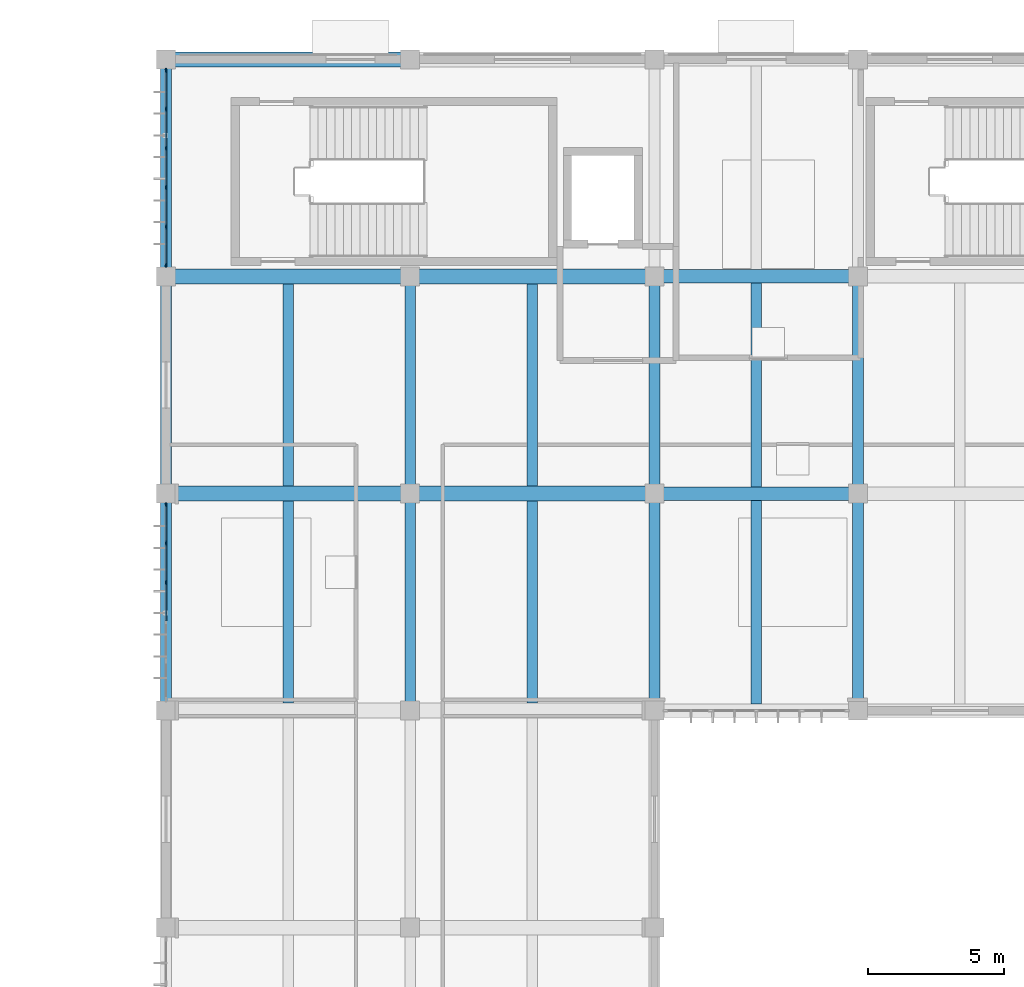
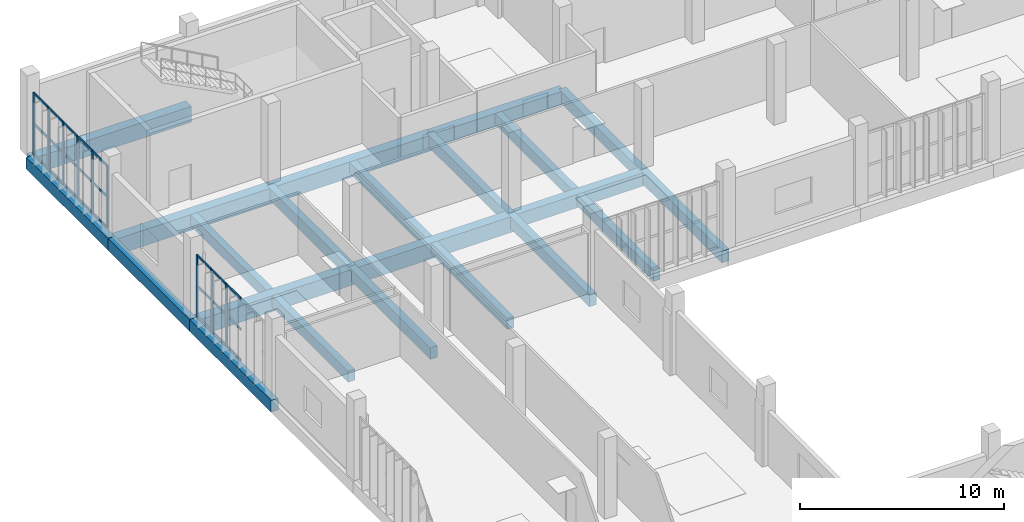
# One storey, part 13 of 72: 33 members, 22 beams, 2 elements without a shape of their own.
"""IFC4 building model written with IfcOpenShell, lengths in metres."""

import ifcopenshell
import ifcopenshell.guid

model = None  # the IFC model being written
_history = None  # IfcOwnerHistory: only IFC2X3 demands one
_inside = {}  # id of a spatial element -> (the spatial element, [elements in it])
_under = {}  # id of a project, library or spatial element -> (it, [spatial elements below it])
_declared = {}  # id of a project -> (the project, [libraries it declares])
_typed = {}  # id of a type object -> (the type object, [elements of that type])
_made_of = {}  # id of a material, layer set ... -> (it, [elements and type objects made of it])


def new_model(schema):
    """Start an empty IFC model of exactly this schema.

    Asked for "IFC4X3", IfcOpenShell would pick the latest addendum, in which some entities
    have other attributes; the version numbers below select the first issue.
    IFC2X3 requires an IfcOwnerHistory on every rooted entity: one is made here for all.
    """
    global model, _history
    if schema == "IFC4X3":
        model = ifcopenshell.file(schema_version=(4, 3, 0, 0))
    else:
        model = ifcopenshell.file(schema=schema)
    _inside.clear()
    _under.clear()
    _declared.clear()
    _typed.clear()
    _made_of.clear()
    _history = None
    if model.schema == "IFC2X3":
        org = make("IfcOrganization", Name="unknown")
        user = make(
            "IfcPersonAndOrganization",
            ThePerson=make("IfcPerson", FamilyName="unknown"),
            TheOrganization=org,
        )
        app = make(
            "IfcApplication",
            ApplicationDeveloper=org,
            Version="unknown",
            ApplicationFullName="unknown",
            ApplicationIdentifier="unknown",
        )
        _history = make(
            "IfcOwnerHistory",
            OwningUser=user,
            OwningApplication=app,
            ChangeAction="ADDED",
            CreationDate=0,
        )
    return model


def make(cls, **values):
    """One entity of the class cls with the attributes given. An attribute that is None is left unset."""
    return model.create_entity(
        cls, **{name: value for name, value in values.items() if value is not None}
    )


def rooted(cls, **values):
    """An entity with a GlobalId (a new one), such as an element, a storey or a relation."""
    return make(cls, GlobalId=ifcopenshell.guid.new(), OwnerHistory=_history, **values)


def si_unit(unit_type, name, prefix=None):
    """IfcSIUnit, for example si_unit("LENGTHUNIT", "METRE", prefix="MILLI")."""
    return make("IfcSIUnit", UnitType=unit_type, Prefix=prefix, Name=name)


def assignment(units):
    """IfcUnitAssignment: the units of a project."""
    return None if units is None else make("IfcUnitAssignment", Units=units)


def point(xyz):
    """IfcCartesianPoint."""
    return None if xyz is None else make("IfcCartesianPoint", Coordinates=xyz)


def direction(xyz):
    """IfcDirection."""
    return None if xyz is None else make("IfcDirection", DirectionRatios=xyz)


def frame(location, z_axis=None, x_axis=None):
    """IfcAxis2Placement3D, a coordinate frame: its origin and axes. An axis left out is left unset."""
    return make(
        "IfcAxis2Placement3D",
        Location=point(location),
        Axis=direction(z_axis),
        RefDirection=direction(x_axis),
    )


def frame_2d(location, x_axis=None):
    """IfcAxis2Placement2D, a coordinate frame in the plane: its origin and x axis."""
    return make(
        "IfcAxis2Placement2D", Location=point(location), RefDirection=direction(x_axis)
    )


def origin():
    """The frame at (0, 0, 0) with its axes left unset."""
    return frame((0.0, 0.0, 0.0))


def origin_2d():
    """The frame at (0, 0) in the plane with its x axis left unset."""
    return frame_2d((0.0, 0.0))


def place(relative_to, where):
    """IfcLocalPlacement: puts the frame where relative to a parent placement (None: the world)."""
    return make(
        "IfcLocalPlacement", PlacementRelTo=relative_to, RelativePlacement=where
    )


def context(
    kind, dimensions, precision=None, world=None, true_north=None, identifier=None
):
    """IfcGeometricRepresentationContext, for example the 3D "Model" context."""
    return make(
        "IfcGeometricRepresentationContext",
        ContextIdentifier=identifier,
        ContextType=kind,
        CoordinateSpaceDimension=dimensions,
        Precision=precision,
        WorldCoordinateSystem=world,
        TrueNorth=true_north,
    )


def subcontext(parent, identifier, kind, view, scale=None):
    """IfcGeometricRepresentationSubContext, for example "Body" below "Model"."""
    return make(
        "IfcGeometricRepresentationSubContext",
        ContextIdentifier=identifier,
        ContextType=kind,
        ParentContext=parent,
        TargetScale=scale,
        TargetView=view,
    )


def project(units=None, contexts=None):
    """IfcProject with its units and contexts."""
    return rooted(
        "IfcProject",
        Name="project",
        RepresentationContexts=contexts,
        UnitsInContext=assignment(units),
    )


def spatial(cls, under=None, at=None, **own):
    """A site, building, storey or space (cls), placed at a placement, below another one or the project."""
    s = rooted(cls, ObjectPlacement=at, **own)
    if under is not None:
        _under.setdefault(under.id(), (under, []))[1].append(s)
    return s


def profile(cls, at=None, kind="AREA", **sizes):
    """A parametric profile (cls). Its sizes go by their IFC names, for example OverallWidth=200.0."""
    return make(cls, ProfileType=kind, Position=at, **sizes)


def rectangle(**sizes):
    """IfcRectangleProfileDef."""
    return profile("IfcRectangleProfileDef", **sizes)


def extrude(swept, where, along, depth):
    """IfcExtrudedAreaSolid: the profile swept, set in the frame where, extruded along a direction by depth."""
    return make(
        "IfcExtrudedAreaSolid",
        SweptArea=swept,
        Position=where,
        ExtrudedDirection=direction(along),
        Depth=depth,
    )


def shape(context_of_items, identifier, shape_type, items):
    """IfcShapeRepresentation: the items that make up one representation, for example the "Body"."""
    return make(
        "IfcShapeRepresentation",
        ContextOfItems=context_of_items,
        RepresentationIdentifier=identifier,
        RepresentationType=shape_type,
        Items=items,
    )


def material(Name=None, Category=None):
    """IfcMaterial."""
    return make("IfcMaterial", Name=Name, Category=Category)


def material_profile(
    of_material, cross_section, Name=None, Category=None, Priority=None
):
    """IfcMaterialProfile: a cross section and its material."""
    return make(
        "IfcMaterialProfile",
        Name=Name,
        Material=of_material,
        Profile=cross_section,
        Priority=Priority,
        Category=Category,
    )


def profile_set(profiles, Name=None, composite=None):
    """IfcMaterialProfileSet."""
    return make(
        "IfcMaterialProfileSet",
        Name=Name,
        MaterialProfiles=profiles,
        CompositeProfile=composite,
    )


def made_of(thing, what):
    """Note that an element or type object is made of a material, layer set ...; save() writes the relation."""
    if what is not None:
        _made_of.setdefault(what.id(), (what, []))[1].append(thing)
    return thing


def type_object(cls, material=None, **own):
    """A type object (cls), such as IfcWallType, which elements share."""
    return made_of(rooted(cls, **own), material)


def element(
    cls,
    number,
    at=None,
    inside=None,
    cuts=None,
    type_object=None,
    material=None,
    context=None,
    identifier="Body",
    shape_type=None,
    held_by="IfcProductDefinitionShape",
    body=None,
    shapes=None,
    **own,
):
    """One element of the class cls, such as IfcWall. Its Tag is "e" and its number.

    at: its placement. inside: the storey or other place that contains it. cuts: it is an
    opening in that element (IfcRelVoidsElement). A single representation is given by context,
    identifier, shape_type and body (its items); several are given by shapes. held_by: the class
    of the entity that holds the representations. save() writes the other relations.
    """
    e = rooted(cls, Tag="e%d" % number, ObjectPlacement=at, **own)
    if body is not None:
        shapes = [shape(context, identifier, shape_type, body)]
    if shapes is not None:
        e.Representation = make(held_by, Representations=shapes)
    if inside is not None:
        _inside.setdefault(inside.id(), (inside, []))[1].append(e)
    if cuts is not None:
        rooted(
            "IfcRelVoidsElement", RelatingBuildingElement=cuts, RelatedOpeningElement=e
        )
    if type_object is not None:
        _typed.setdefault(type_object.id(), (type_object, []))[1].append(e)
    return made_of(e, material)


def aggregate(whole, parts):
    """IfcRelAggregates: a whole, such as a stair, and the parts it consists of."""
    return rooted("IfcRelAggregates", RelatingObject=whole, RelatedObjects=parts)


def save(model, path):
    """Write the relations noted so far, then the file.

    IfcRelAggregates (storeys below a building ...), IfcRelContainedInSpatialStructure (elements
    in a storey), IfcRelDefinesByType, IfcRelAssociatesMaterial and IfcRelDeclares: one each for
    every whole, place, type object, material and project.
    """
    for whole, parts in _under.values():
        aggregate(whole, parts)
    for where, things in _inside.values():
        rooted(
            "IfcRelContainedInSpatialStructure",
            RelatedElements=things,
            RelatingStructure=where,
        )
    for kind, things in _typed.values():
        rooted("IfcRelDefinesByType", RelatedObjects=things, RelatingType=kind)
    for what, things in _made_of.values():
        rooted("IfcRelAssociatesMaterial", RelatedObjects=things, RelatingMaterial=what)
    for by, libraries in _declared.values():
        rooted("IfcRelDeclares", RelatingContext=by, RelatedDefinitions=libraries)
    model.write(path)


model = new_model("IFC4")

# Units and contexts
model_context = context("Model", 3, precision=1e-05, world=origin(), true_north=direction((0.0, 1.0)))
body_context = subcontext(model_context, "Body", "Model", "MODEL_VIEW")
ifc_project = project(units=[si_unit("LENGTHUNIT", "METRE"), si_unit("AREAUNIT", "SQUARE_METRE"), si_unit("VOLUMEUNIT", "CUBIC_METRE"), si_unit("PLANEANGLEUNIT", "RADIAN"), si_unit("MASSUNIT", "GRAM", prefix="KILO")], contexts=[model_context])

# Site, building, storey
site_placement = place(None, origin())
site = spatial("IfcSite", under=ifc_project, at=site_placement, CompositionType="ELEMENT")
building_placement = place(site_placement, origin())
building = spatial("IfcBuilding", under=site, at=building_placement, Name="Vourika Railside Aquatics Centre", CompositionType="ELEMENT")
storey_placement = place(building_placement, origin())
storey = spatial("IfcBuildingStorey", under=building, at=storey_placement, Name="L00", CompositionType="ELEMENT", Elevation=0.0)

# Beams
ifc_material_1 = material(Name="Concrete C35/45", Category="concrete")
ifc_material_profile_1 = material_profile(ifc_material_1, rectangle(XDim=0.39990234375, YDim=0.699951171875, at=origin_2d()), Name="RC 400x700")
ifc_profile_set_1 = profile_set([ifc_material_profile_1], Name="Concrete C35/45")
beam_type_1 = type_object("IfcBeamType", Name="BM-GIRD-400x700", PredefinedType="BEAM", material=ifc_profile_set_1)
for number, where, z_axis, x_axis, name in (
    (1, (18.0, 92.0, -0.669921875), (0.0, 1.0, 0.0), (-1.0, 0.0, 0.0), "Floor Girder GY-L00-197"),
    (2, (18.0, 100.0, -0.669921875), (0.0, 1.0, 0.0), (-1.0, 0.0, 0.0), "Floor Girder GY-L00-198"),
    (3, (18.0, 108.0, -0.669921875), (0.0, 1.0, 0.0), (-1.0, 0.0, 0.0), "Floor Girder GY-L00-199"),
    (4, (27.0, 92.0, -0.669921875), (0.0, 1.0, 0.0), (-1.0, 0.0, 0.0), "Floor Girder GY-L00-205"),
    (5, (27.0, 100.0, -0.669921875), (0.0, 1.0, 0.0), (-1.0, 0.0, 0.0), "Floor Girder GY-L00-206"),
    (6, (36.0, 92.0, -0.669921875), (0.0, 1.0, 0.0), (-1.0, 0.0, 0.0), "Floor Girder GY-L00-218"),
    (7, (36.0, 100.0, -0.669921875), (0.0, 1.0, 0.0), (-1.0, 0.0, 0.0), "Floor Girder GY-L00-219"),
    (8, (43.5, 92.0, -0.669921875), (0.0, 1.0, 0.0), (-1.0, 0.0, 0.0), "Floor Girder GY-L00-225"),
    (9, (43.5, 100.0, -0.669921875), (0.0, 1.0, 0.0), (-1.0, 0.0, 0.0), "Floor Girder GY-L00-226"),
):
    element("IfcBeam", number, at=place(storey_placement, frame(where, z_axis=z_axis, x_axis=x_axis)), inside=storey, type_object=beam_type_1, Name=name, PredefinedType="BEAM", context=body_context, shape_type="SweptSolid", body=[
        extrude(rectangle(XDim=0.39990234375, YDim=0.699951171875, at=origin_2d()), origin(), (0.0, 0.0, 1.0), 8.0),
    ])
ifc_material_2 = material(Name="Concrete C40/50", Category="concrete")
ifc_material_profile_2 = material_profile(ifc_material_2, rectangle(XDim=0.550048828125, YDim=0.949951171875, at=origin_2d()), Name="RC 550x950")
ifc_profile_set_2 = profile_set([ifc_material_profile_2], Name="Concrete C40/50")
beam_type_2 = type_object("IfcBeamType", Name="BM-GIRD-550x950", PredefinedType="BEAM", material=ifc_profile_set_2)
for number, where, z_axis, x_axis, name in (
    (10, (18.0, 100.0, -0.794921875), (1.0, 0.0, 0.0), (0.0, 1.0, 0.0), "Floor Beam GX-L00-143"),
    (11, (27.0, 100.0, -0.794921875), (1.0, 0.0, 0.0), (0.0, 1.0, 0.0), "Floor Beam GX-L00-144"),
    (12, (18.0, 108.0, -0.794921875), (1.0, 0.0, 0.0), (0.0, 1.0, 0.0), "Floor Beam GX-L00-158"),
    (13, (27.0, 108.0, -0.794921875), (1.0, 0.0, 0.0), (0.0, 1.0, 0.0), "Floor Beam GX-L00-159"),
    (14, (18.0, 116.0, -0.794921875), (1.0, 0.0, 0.0), (0.0, 1.0, 0.0), "Floor Beam GX-L00-173"),
):
    element("IfcBeam", number, at=place(storey_placement, frame(where, z_axis=z_axis, x_axis=x_axis)), inside=storey, type_object=beam_type_2, Name=name, PredefinedType="BEAM", context=body_context, shape_type="SweptSolid", body=[
        extrude(rectangle(XDim=0.550048828125, YDim=0.949951171875, at=origin_2d()), origin(), (0.0, 0.0, 1.0), 9.0),
    ])
ifc_material_profile_3 = material_profile(ifc_material_1, rectangle(XDim=0.3798828125, YDim=0.64990234375, at=origin_2d()), Name="RC 380x650")
ifc_profile_set_3 = profile_set([ifc_material_profile_3], Name="Concrete C35/45")
beam_type_3 = type_object("IfcBeamType", Name="BM-SEC-380x650", PredefinedType="JOIST", material=ifc_profile_set_3)
for number, where, z_axis, x_axis, name in (
    (15, (22.5, 92.27490234375, -0.64501953125), (0.0, 1.0, 0.0), (-1.0, 0.0, 0.0), "Secondary Joist JY-L00-434"),
    (16, (31.5, 92.27490234375, -0.64501953125), (0.0, 1.0, 0.0), (-1.0, 0.0, 0.0), "Secondary Joist JY-L00-435"),
):
    element("IfcBeam", number, at=place(storey_placement, frame(where, z_axis=z_axis, x_axis=x_axis)), inside=storey, type_object=beam_type_3, Name=name, PredefinedType="JOIST", context=body_context, shape_type="SweptSolid", body=[
        extrude(rectangle(XDim=0.3798828125, YDim=0.64990234375, at=origin_2d()), origin(), (0.0, 0.0, 1.0), 7.4501953125),
    ])
beam_1_placement = place(storey_placement, frame((39.75, 92.25, -0.64501953125), z_axis=(0.0, 1.0, 0.0), x_axis=(-1.0, 0.0, 0.0)))
element("IfcBeam", 17, at=beam_1_placement, inside=storey, type_object=beam_type_3, Name="Secondary Joist JY-L00-436", PredefinedType="JOIST", context=body_context, shape_type="SweptSolid", body=[
    extrude(rectangle(XDim=0.3798828125, YDim=0.64990234375, at=origin_2d()), origin(), (0.0, 0.0, 1.0), 7.5),
])
for number, where, z_axis, x_axis, name in (
    (18, (22.5, 100.27490234375, -0.64501953125), (0.0, 1.0, 0.0), (-1.0, 0.0, 0.0), "Secondary Joist JY-L00-449"),
    (19, (31.5, 100.27490234375, -0.64501953125), (0.0, 1.0, 0.0), (-1.0, 0.0, 0.0), "Secondary Joist JY-L00-450"),
):
    element("IfcBeam", number, at=place(storey_placement, frame(where, z_axis=z_axis, x_axis=x_axis)), inside=storey, type_object=beam_type_3, Name=name, PredefinedType="JOIST", context=body_context, shape_type="SweptSolid", body=[
        extrude(rectangle(XDim=0.3798828125, YDim=0.64990234375, at=origin_2d()), origin(), (0.0, 0.0, 1.0), 7.4501953125),
    ])
beam_2_placement = place(storey_placement, frame((39.75, 100.25, -0.64501953125), z_axis=(0.0, 1.0, 0.0), x_axis=(-1.0, 0.0, 0.0)))
element("IfcBeam", 20, at=beam_2_placement, inside=storey, type_object=beam_type_3, Name="Secondary Joist JY-L00-451", PredefinedType="JOIST", context=body_context, shape_type="SweptSolid", body=[
    extrude(rectangle(XDim=0.3798828125, YDim=0.64990234375, at=origin_2d()), origin(), (0.0, 0.0, 1.0), 7.5),
])
ifc_material_profile_4 = material_profile(ifc_material_2, rectangle(XDim=0.5, YDim=0.800048828125, at=origin_2d()), Name="RC 500x800")
ifc_profile_set_4 = profile_set([ifc_material_profile_4], Name="Concrete C40/50")
beam_type_4 = type_object("IfcBeamType", Name="BM-TIE-500x800", PredefinedType="BEAM", material=ifc_profile_set_4)
for number, where, z_axis, x_axis, name in (
    (21, (36.0, 100.0, -0.719970703125), (1.0, 0.0, 0.0), (0.0, 1.0, 0.0), "Floor Beam GX-L00-145"),
    (22, (36.0, 108.0, -0.719970703125), (1.0, 0.0, 0.0), (0.0, 1.0, 0.0), "Floor Beam GX-L00-160"),
):
    element("IfcBeam", number, at=place(storey_placement, frame(where, z_axis=z_axis, x_axis=x_axis)), inside=storey, type_object=beam_type_4, Name=name, PredefinedType="BEAM", context=body_context, shape_type="SweptSolid", body=[
        extrude(rectangle(XDim=0.5, YDim=0.800048828125, at=origin_2d()), origin(), (0.0, 0.0, 1.0), 7.5),
    ])

# Curtain wall, members
ifc_material_3 = material(Name="Anodized thermally broken aluminium", Category="aluminium")
curtain_wall_type = type_object("IfcCurtainWallType", Name="CW-FIT0", PredefinedType="NOTDEFINED", material=ifc_material_3)
curtain_wall_1_placement = place(storey_placement, origin())
curtain_wall_1 = element("IfcCurtainWall", 23, at=curtain_wall_1_placement, inside=storey, type_object=curtain_wall_type, Name="Fitness West Boulevard Curtain Wall L00-5", PredefinedType="NOTDEFINED")
ifc_material_4 = material(Name="Anodized aluminium mullion", Category="aluminium")
ifc_material_profile_5 = material_profile(ifc_material_4, rectangle(XDim=0.06494140625, YDim=0.1640625, at=origin_2d()), Name="ALU-M 65x164")
ifc_profile_set_5 = profile_set([ifc_material_profile_5], Name="Anodized aluminium mullion")
member_type_1 = type_object("IfcMemberType", Name="CWM-FIT0", PredefinedType="MULLION", material=ifc_profile_set_5)
member_1_placement = place(storey_placement, frame((18.0, 99.58740234375, 0.0), z_axis=(0.0, 0.0, 1.0), x_axis=(1.0, 0.0, 0.0)))
member_1 = element("IfcMember", 24, at=member_1_placement, type_object=member_type_1, Name="CW14 mullion 1", PredefinedType="MULLION", context=body_context, shape_type="SweptSolid", body=[
    extrude(rectangle(XDim=0.06494140625, YDim=0.1640625, at=origin_2d()), origin(), (0.0, 0.0, 1.0), 3.72998046875),
])
member_2_placement = place(storey_placement, frame((18.0, 98.172119140625, 0.0), z_axis=(0.0, 0.0, 1.0), x_axis=(1.0, 0.0, 0.0)))
member_2 = element("IfcMember", 25, at=member_2_placement, type_object=member_type_1, Name="CW14 mullion 2", PredefinedType="MULLION", context=body_context, shape_type="SweptSolid", body=[
    extrude(rectangle(XDim=0.06494140625, YDim=0.1640625, at=origin_2d()), origin(), (0.0, 0.0, 1.0), 3.72998046875),
])
member_3_placement = place(storey_placement, frame((18.0, 96.72412109375, 0.0), z_axis=(0.0, 0.0, 1.0), x_axis=(1.0, 0.0, 0.0)))
member_3 = element("IfcMember", 26, at=member_3_placement, type_object=member_type_1, Name="CW14 mullion 3", PredefinedType="MULLION", context=body_context, shape_type="SweptSolid", body=[
    extrude(rectangle(XDim=0.06494140625, YDim=0.1640625, at=origin_2d()), origin(), (0.0, 0.0, 1.0), 3.72998046875),
])

curtain_wall_2_placement = place(storey_placement, origin())
curtain_wall_2 = element("IfcCurtainWall", 27, at=curtain_wall_2_placement, inside=storey, type_object=curtain_wall_type, Name="Fitness West Boulevard Curtain Wall L00-7", PredefinedType="NOTDEFINED")
member_4_placement = place(storey_placement, frame((18.0, 115.58740234375, 0.0), z_axis=(0.0, 0.0, 1.0), x_axis=(1.0, 0.0, 0.0)))
member_4 = element("IfcMember", 28, at=member_4_placement, type_object=member_type_1, Name="CW14 mullion 1", PredefinedType="MULLION", context=body_context, shape_type="SweptSolid", body=[
    extrude(rectangle(XDim=0.06494140625, YDim=0.1640625, at=origin_2d()), origin(), (0.0, 0.0, 1.0), 3.72998046875),
])
member_5_placement = place(storey_placement, frame((18.0, 114.172119140625, 0.0), z_axis=(0.0, 0.0, 1.0), x_axis=(1.0, 0.0, 0.0)))
member_5 = element("IfcMember", 29, at=member_5_placement, type_object=member_type_1, Name="CW14 mullion 2", PredefinedType="MULLION", context=body_context, shape_type="SweptSolid", body=[
    extrude(rectangle(XDim=0.06494140625, YDim=0.1640625, at=origin_2d()), origin(), (0.0, 0.0, 1.0), 3.72998046875),
])
member_6_placement = place(storey_placement, frame((18.0, 112.72412109375, 0.0), z_axis=(0.0, 0.0, 1.0), x_axis=(1.0, 0.0, 0.0)))
member_6 = element("IfcMember", 30, at=member_6_placement, type_object=member_type_1, Name="CW14 mullion 3", PredefinedType="MULLION", context=body_context, shape_type="SweptSolid", body=[
    extrude(rectangle(XDim=0.06494140625, YDim=0.1640625, at=origin_2d()), origin(), (0.0, 0.0, 1.0), 3.72998046875),
])
member_7_placement = place(storey_placement, frame((18.0, 111.27587890625, 0.0), z_axis=(0.0, 0.0, 1.0), x_axis=(1.0, 0.0, 0.0)))
member_7 = element("IfcMember", 31, at=member_7_placement, type_object=member_type_1, Name="CW14 mullion 4", PredefinedType="MULLION", context=body_context, shape_type="SweptSolid", body=[
    extrude(rectangle(XDim=0.06494140625, YDim=0.1640625, at=origin_2d()), origin(), (0.0, 0.0, 1.0), 3.72998046875),
])
member_8_placement = place(storey_placement, frame((18.0, 109.827880859375, 0.0), z_axis=(0.0, 0.0, 1.0), x_axis=(1.0, 0.0, 0.0)))
member_8 = element("IfcMember", 32, at=member_8_placement, type_object=member_type_1, Name="CW14 mullion 5", PredefinedType="MULLION", context=body_context, shape_type="SweptSolid", body=[
    extrude(rectangle(XDim=0.06494140625, YDim=0.1640625, at=origin_2d()), origin(), (0.0, 0.0, 1.0), 3.72998046875),
])
member_9_placement = place(storey_placement, frame((18.0, 108.41259765625, 0.0), z_axis=(0.0, 0.0, 1.0), x_axis=(1.0, 0.0, 0.0)))
member_9 = element("IfcMember", 33, at=member_9_placement, type_object=member_type_1, Name="CW14 mullion 6", PredefinedType="MULLION", context=body_context, shape_type="SweptSolid", body=[
    extrude(rectangle(XDim=0.06494140625, YDim=0.1640625, at=origin_2d()), origin(), (0.0, 0.0, 1.0), 3.72998046875),
])

# Member
ifc_material_5 = material(Name="Anodized aluminium transom", Category="aluminium")
ifc_material_profile_6 = material_profile(ifc_material_5, rectangle(XDim=0.06494140625, YDim=0.1279296875, at=origin_2d()), Name="ALU-T 65x128")
ifc_profile_set_6 = profile_set([ifc_material_profile_6], Name="Anodized aluminium transom")
member_type_2 = type_object("IfcMemberType", Name="CWT-FIT0", PredefinedType="USERDEFINED", material=ifc_profile_set_6)
member_10_placement = place(storey_placement, frame((18.0, 99.554931640625, 0.032470703125), z_axis=(0.0, -1.0, 0.0), x_axis=(1.0, 0.0, 0.0)))
member_10 = element("IfcMember", 34, at=member_10_placement, type_object=member_type_2, Name="CW14 transom 1.1", ObjectType="TRANSOM", PredefinedType="USERDEFINED", context=body_context, shape_type="SweptSolid", body=[
    extrude(rectangle(XDim=0.06494140625, YDim=0.1279296875, at=origin_2d()), origin(), (0.0, 0.0, 1.0), 1.350341796875),
])

member_11_placement = place(storey_placement, frame((18.0, 99.554931640625, 1.864990234375), z_axis=(0.0, -1.0, 0.0), x_axis=(1.0, 0.0, 0.0)))
member_11 = element("IfcMember", 35, at=member_11_placement, type_object=member_type_2, Name="CW14 transom 1.2", ObjectType="TRANSOM", PredefinedType="USERDEFINED", context=body_context, shape_type="SweptSolid", body=[
    extrude(rectangle(XDim=0.06494140625, YDim=0.1279296875, at=origin_2d()), origin(), (0.0, 0.0, 1.0), 1.350341796875),
])

member_12_placement = place(storey_placement, frame((18.0, 99.554931640625, 3.697509765625), z_axis=(0.0, -1.0, 0.0), x_axis=(1.0, 0.0, 0.0)))
member_12 = element("IfcMember", 36, at=member_12_placement, type_object=member_type_2, Name="CW14 transom 1.3", ObjectType="TRANSOM", PredefinedType="USERDEFINED", context=body_context, shape_type="SweptSolid", body=[
    extrude(rectangle(XDim=0.06494140625, YDim=0.1279296875, at=origin_2d()), origin(), (0.0, 0.0, 1.0), 1.350341796875),
])

member_13_placement = place(storey_placement, frame((18.0, 98.139404296875, 0.032470703125), z_axis=(0.0, -1.0, 0.0), x_axis=(1.0, 0.0, 0.0)))
member_13 = element("IfcMember", 37, at=member_13_placement, type_object=member_type_2, Name="CW14 transom 2.1", ObjectType="TRANSOM", PredefinedType="USERDEFINED", context=body_context, shape_type="SweptSolid", body=[
    extrude(rectangle(XDim=0.06494140625, YDim=0.1279296875, at=origin_2d()), origin(), (0.0, 0.0, 1.0), 1.3828125),
])

member_14_placement = place(storey_placement, frame((18.0, 98.139404296875, 1.864990234375), z_axis=(0.0, -1.0, 0.0), x_axis=(1.0, 0.0, 0.0)))
member_14 = element("IfcMember", 38, at=member_14_placement, type_object=member_type_2, Name="CW14 transom 2.2", ObjectType="TRANSOM", PredefinedType="USERDEFINED", context=body_context, shape_type="SweptSolid", body=[
    extrude(rectangle(XDim=0.06494140625, YDim=0.1279296875, at=origin_2d()), origin(), (0.0, 0.0, 1.0), 1.3828125),
])

member_15_placement = place(storey_placement, frame((18.0, 98.139404296875, 3.697509765625), z_axis=(0.0, -1.0, 0.0), x_axis=(1.0, 0.0, 0.0)))
member_15 = element("IfcMember", 39, at=member_15_placement, type_object=member_type_2, Name="CW14 transom 2.3", ObjectType="TRANSOM", PredefinedType="USERDEFINED", context=body_context, shape_type="SweptSolid", body=[
    extrude(rectangle(XDim=0.06494140625, YDim=0.1279296875, at=origin_2d()), origin(), (0.0, 0.0, 1.0), 1.3828125),
])

member_16_placement = place(storey_placement, frame((18.0, 96.69140625, 0.032470703125), z_axis=(0.0, -1.0, 0.0), x_axis=(1.0, 0.0, 0.0)))
member_16 = element("IfcMember", 40, at=member_16_placement, type_object=member_type_2, Name="CW14 transom 3.1", ObjectType="TRANSOM", PredefinedType="USERDEFINED", context=body_context, shape_type="SweptSolid", body=[
    extrude(rectangle(XDim=0.06494140625, YDim=0.1279296875, at=origin_2d()), origin(), (0.0, 0.0, 1.0), 1.3828125),
])

member_17_placement = place(storey_placement, frame((18.0, 96.69140625, 1.864990234375), z_axis=(0.0, -1.0, 0.0), x_axis=(1.0, 0.0, 0.0)))
member_17 = element("IfcMember", 41, at=member_17_placement, type_object=member_type_2, Name="CW14 transom 3.2", ObjectType="TRANSOM", PredefinedType="USERDEFINED", context=body_context, shape_type="SweptSolid", body=[
    extrude(rectangle(XDim=0.06494140625, YDim=0.1279296875, at=origin_2d()), origin(), (0.0, 0.0, 1.0), 1.3828125),
])

member_18_placement = place(storey_placement, frame((18.0, 96.69140625, 3.697509765625), z_axis=(0.0, -1.0, 0.0), x_axis=(1.0, 0.0, 0.0)))
member_18 = element("IfcMember", 42, at=member_18_placement, type_object=member_type_2, Name="CW14 transom 3.3", ObjectType="TRANSOM", PredefinedType="USERDEFINED", context=body_context, shape_type="SweptSolid", body=[
    extrude(rectangle(XDim=0.06494140625, YDim=0.1279296875, at=origin_2d()), origin(), (0.0, 0.0, 1.0), 1.3828125),
])

aggregate(curtain_wall_1, [member_1, member_2, member_3, member_10, member_11, member_12, member_13, member_14, member_15, member_16, member_17, member_18])

member_19_placement = place(storey_placement, frame((18.0, 115.554931640625, 0.032470703125), z_axis=(0.0, -1.0, 0.0), x_axis=(1.0, 0.0, 0.0)))
member_19 = element("IfcMember", 43, at=member_19_placement, type_object=member_type_2, Name="CW14 transom 1.1", ObjectType="TRANSOM", PredefinedType="USERDEFINED", context=body_context, shape_type="SweptSolid", body=[
    extrude(rectangle(XDim=0.06494140625, YDim=0.1279296875, at=origin_2d()), origin(), (0.0, 0.0, 1.0), 1.350341796875),
])

member_20_placement = place(storey_placement, frame((18.0, 115.554931640625, 1.864990234375), z_axis=(0.0, -1.0, 0.0), x_axis=(1.0, 0.0, 0.0)))
member_20 = element("IfcMember", 44, at=member_20_placement, type_object=member_type_2, Name="CW14 transom 1.2", ObjectType="TRANSOM", PredefinedType="USERDEFINED", context=body_context, shape_type="SweptSolid", body=[
    extrude(rectangle(XDim=0.06494140625, YDim=0.1279296875, at=origin_2d()), origin(), (0.0, 0.0, 1.0), 1.350341796875),
])

member_21_placement = place(storey_placement, frame((18.0, 115.554931640625, 3.697509765625), z_axis=(0.0, -1.0, 0.0), x_axis=(1.0, 0.0, 0.0)))
member_21 = element("IfcMember", 45, at=member_21_placement, type_object=member_type_2, Name="CW14 transom 1.3", ObjectType="TRANSOM", PredefinedType="USERDEFINED", context=body_context, shape_type="SweptSolid", body=[
    extrude(rectangle(XDim=0.06494140625, YDim=0.1279296875, at=origin_2d()), origin(), (0.0, 0.0, 1.0), 1.350341796875),
])

member_22_placement = place(storey_placement, frame((18.0, 114.139404296875, 0.032470703125), z_axis=(0.0, -1.0, 0.0), x_axis=(1.0, 0.0, 0.0)))
member_22 = element("IfcMember", 46, at=member_22_placement, type_object=member_type_2, Name="CW14 transom 2.1", ObjectType="TRANSOM", PredefinedType="USERDEFINED", context=body_context, shape_type="SweptSolid", body=[
    extrude(rectangle(XDim=0.06494140625, YDim=0.1279296875, at=origin_2d()), origin(), (0.0, 0.0, 1.0), 1.3828125),
])

member_23_placement = place(storey_placement, frame((18.0, 114.139404296875, 1.864990234375), z_axis=(0.0, -1.0, 0.0), x_axis=(1.0, 0.0, 0.0)))
member_23 = element("IfcMember", 47, at=member_23_placement, type_object=member_type_2, Name="CW14 transom 2.2", ObjectType="TRANSOM", PredefinedType="USERDEFINED", context=body_context, shape_type="SweptSolid", body=[
    extrude(rectangle(XDim=0.06494140625, YDim=0.1279296875, at=origin_2d()), origin(), (0.0, 0.0, 1.0), 1.3828125),
])

member_24_placement = place(storey_placement, frame((18.0, 114.139404296875, 3.697509765625), z_axis=(0.0, -1.0, 0.0), x_axis=(1.0, 0.0, 0.0)))
member_24 = element("IfcMember", 48, at=member_24_placement, type_object=member_type_2, Name="CW14 transom 2.3", ObjectType="TRANSOM", PredefinedType="USERDEFINED", context=body_context, shape_type="SweptSolid", body=[
    extrude(rectangle(XDim=0.06494140625, YDim=0.1279296875, at=origin_2d()), origin(), (0.0, 0.0, 1.0), 1.3828125),
])

member_25_placement = place(storey_placement, frame((18.0, 112.69140625, 0.032470703125), z_axis=(0.0, -1.0, 0.0), x_axis=(1.0, 0.0, 0.0)))
member_25 = element("IfcMember", 49, at=member_25_placement, type_object=member_type_2, Name="CW14 transom 3.1", ObjectType="TRANSOM", PredefinedType="USERDEFINED", context=body_context, shape_type="SweptSolid", body=[
    extrude(rectangle(XDim=0.06494140625, YDim=0.1279296875, at=origin_2d()), origin(), (0.0, 0.0, 1.0), 1.3828125),
])

member_26_placement = place(storey_placement, frame((18.0, 112.69140625, 1.864990234375), z_axis=(0.0, -1.0, 0.0), x_axis=(1.0, 0.0, 0.0)))
member_26 = element("IfcMember", 50, at=member_26_placement, type_object=member_type_2, Name="CW14 transom 3.2", ObjectType="TRANSOM", PredefinedType="USERDEFINED", context=body_context, shape_type="SweptSolid", body=[
    extrude(rectangle(XDim=0.06494140625, YDim=0.1279296875, at=origin_2d()), origin(), (0.0, 0.0, 1.0), 1.3828125),
])

member_27_placement = place(storey_placement, frame((18.0, 112.69140625, 3.697509765625), z_axis=(0.0, -1.0, 0.0), x_axis=(1.0, 0.0, 0.0)))
member_27 = element("IfcMember", 51, at=member_27_placement, type_object=member_type_2, Name="CW14 transom 3.3", ObjectType="TRANSOM", PredefinedType="USERDEFINED", context=body_context, shape_type="SweptSolid", body=[
    extrude(rectangle(XDim=0.06494140625, YDim=0.1279296875, at=origin_2d()), origin(), (0.0, 0.0, 1.0), 1.3828125),
])

member_28_placement = place(storey_placement, frame((18.0, 111.243408203125, 0.032470703125), z_axis=(0.0, -1.0, 0.0), x_axis=(1.0, 0.0, 0.0)))
member_28 = element("IfcMember", 52, at=member_28_placement, type_object=member_type_2, Name="CW14 transom 4.1", ObjectType="TRANSOM", PredefinedType="USERDEFINED", context=body_context, shape_type="SweptSolid", body=[
    extrude(rectangle(XDim=0.06494140625, YDim=0.1279296875, at=origin_2d()), origin(), (0.0, 0.0, 1.0), 1.3828125),
])

member_29_placement = place(storey_placement, frame((18.0, 111.243408203125, 1.864990234375), z_axis=(0.0, -1.0, 0.0), x_axis=(1.0, 0.0, 0.0)))
member_29 = element("IfcMember", 53, at=member_29_placement, type_object=member_type_2, Name="CW14 transom 4.2", ObjectType="TRANSOM", PredefinedType="USERDEFINED", context=body_context, shape_type="SweptSolid", body=[
    extrude(rectangle(XDim=0.06494140625, YDim=0.1279296875, at=origin_2d()), origin(), (0.0, 0.0, 1.0), 1.3828125),
])

member_30_placement = place(storey_placement, frame((18.0, 111.243408203125, 3.697509765625), z_axis=(0.0, -1.0, 0.0), x_axis=(1.0, 0.0, 0.0)))
member_30 = element("IfcMember", 54, at=member_30_placement, type_object=member_type_2, Name="CW14 transom 4.3", ObjectType="TRANSOM", PredefinedType="USERDEFINED", context=body_context, shape_type="SweptSolid", body=[
    extrude(rectangle(XDim=0.06494140625, YDim=0.1279296875, at=origin_2d()), origin(), (0.0, 0.0, 1.0), 1.3828125),
])

member_31_placement = place(storey_placement, frame((18.0, 109.79541015625, 0.032470703125), z_axis=(0.0, -1.0, 0.0), x_axis=(1.0, 0.0, 0.0)))
member_31 = element("IfcMember", 55, at=member_31_placement, type_object=member_type_2, Name="CW14 transom 5.1", ObjectType="TRANSOM", PredefinedType="USERDEFINED", context=body_context, shape_type="SweptSolid", body=[
    extrude(rectangle(XDim=0.06494140625, YDim=0.1279296875, at=origin_2d()), origin(), (0.0, 0.0, 1.0), 1.350341796875),
])

member_32_placement = place(storey_placement, frame((18.0, 109.79541015625, 1.864990234375), z_axis=(0.0, -1.0, 0.0), x_axis=(1.0, 0.0, 0.0)))
member_32 = element("IfcMember", 56, at=member_32_placement, type_object=member_type_2, Name="CW14 transom 5.2", ObjectType="TRANSOM", PredefinedType="USERDEFINED", context=body_context, shape_type="SweptSolid", body=[
    extrude(rectangle(XDim=0.06494140625, YDim=0.1279296875, at=origin_2d()), origin(), (0.0, 0.0, 1.0), 1.350341796875),
])

member_33_placement = place(storey_placement, frame((18.0, 109.79541015625, 3.697509765625), z_axis=(0.0, -1.0, 0.0), x_axis=(1.0, 0.0, 0.0)))
member_33 = element("IfcMember", 57, at=member_33_placement, type_object=member_type_2, Name="CW14 transom 5.3", ObjectType="TRANSOM", PredefinedType="USERDEFINED", context=body_context, shape_type="SweptSolid", body=[
    extrude(rectangle(XDim=0.06494140625, YDim=0.1279296875, at=origin_2d()), origin(), (0.0, 0.0, 1.0), 1.350341796875),
])

aggregate(curtain_wall_2, [member_4, member_5, member_6, member_7, member_8, member_9, member_19, member_20, member_21, member_22, member_23, member_24, member_25, member_26, member_27, member_28, member_29, member_30, member_31, member_32, member_33])

save(model, "model.ifc")
